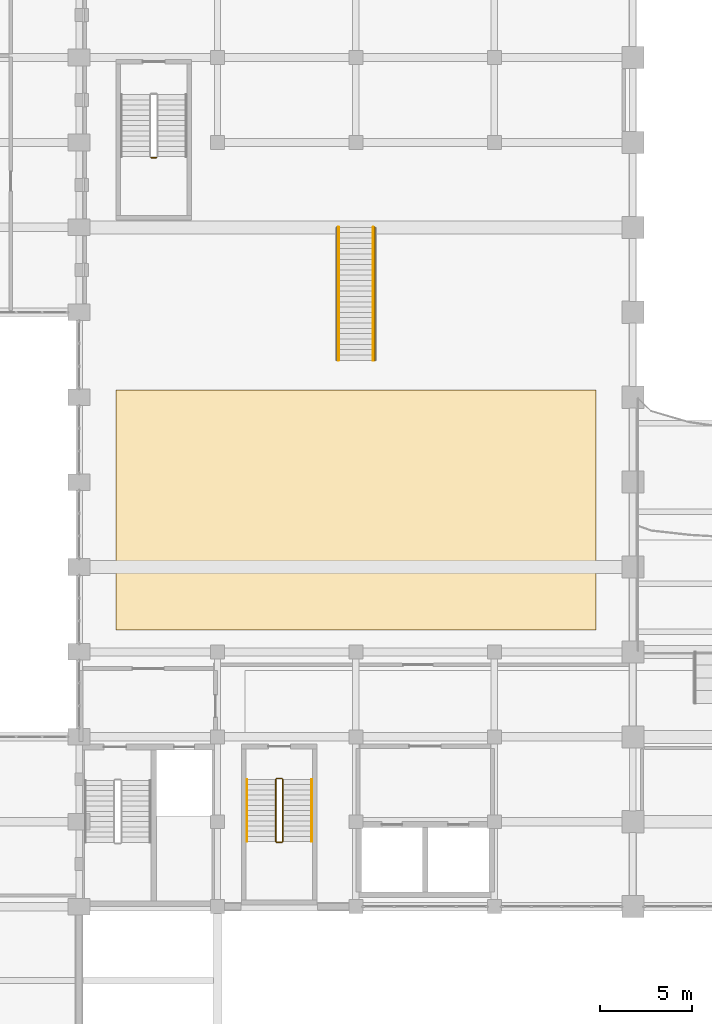
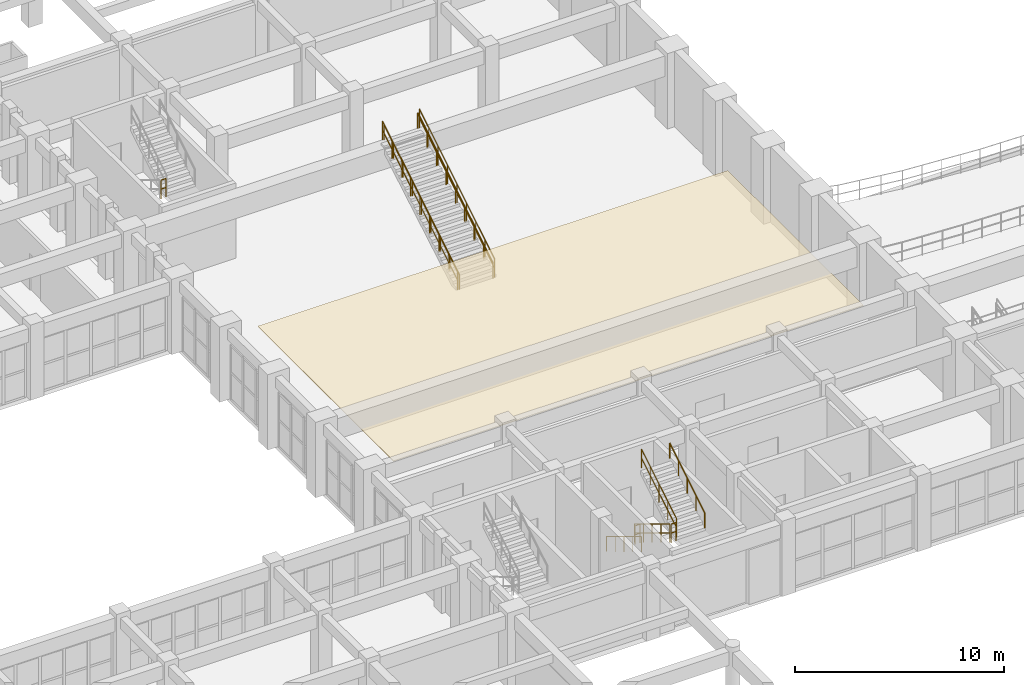
# One storey, part 107 of 116: 11 railings, 1 covering.
"""IFC4 building model written with IfcOpenShell, lengths in metres."""

from ifc_helpers import new_model, si_unit, direction, frame, origin, origin_2d, place, context, subcontext, project, spatial, polyline, circle, outline, extrude, material, layer, layer_set, type_object, element, save


model = new_model("IFC4")

# Units and contexts
model_context = context("Model", 3, precision=1e-05, world=origin(), true_north=direction((0.0, 1.0)))
body_context = subcontext(model_context, "Body", "Model", "MODEL_VIEW")
ifc_project = project(units=[si_unit("LENGTHUNIT", "METRE"), si_unit("AREAUNIT", "SQUARE_METRE"), si_unit("VOLUMEUNIT", "CUBIC_METRE"), si_unit("PLANEANGLEUNIT", "RADIAN"), si_unit("MASSUNIT", "GRAM", prefix="KILO")], contexts=[model_context])

# Site, building, storey
site_placement = place(None, origin())
site = spatial("IfcSite", under=ifc_project, at=site_placement, CompositionType="ELEMENT")
building_placement = place(site_placement, origin())
building = spatial("IfcBuilding", under=site, at=building_placement, Name="Muzn Square Opera House", CompositionType="ELEMENT")
storey_placement = place(building_placement, frame((0.0, 0.0, 5.39990234375)))
storey = spatial("IfcBuildingStorey", under=building, at=storey_placement, Name="L01", CompositionType="ELEMENT", Elevation=5.39990234375)

# Covering
ifc_material_1 = material(Name="Acoustic walnut timber panelling", Category="wood")
ifc_layer = layer(ifc_material_1, 0.0400390625, Name="Acoustic walnut timber panelling", Category="wood")
ifc_layer_set = layer_set([ifc_layer], Name="Acoustic walnut timber panelling")
covering_type = type_object("IfcCoveringType", Name="Carved Walnut Acoustic Ceiling Cloud", PredefinedType="CEILING", material=ifc_layer_set)
covering_placement = place(storey_placement, frame((0.0, 0.0, 3.0)))
element("IfcCovering", 1, at=covering_placement, inside=storey, type_object=covering_type, Name="West Promenade Acoustic Ceiling Cloud", PredefinedType="CEILING", context=body_context, shape_type="SweptSolid", body=[
    extrude(outline(polyline([(45.0, 37.0), (71.0, 37.0), (71.0, 50.0), (45.0, 50.0), (45.0, 37.0)])), origin(), (0.0, 0.0, 1.0), 0.0400390625),
])

# Railings
ifc_material_2 = material(Name="Brushed stainless steel", Category="metal")
railing_type_1 = type_object("IfcRailingType", Name="Stair Guard Railing 1120mm", PredefinedType="GUARDRAIL", material=ifc_material_2)
railing_1_placement = place(storey_placement, frame((46.909912109375, 62.580078125, 2.2001953125)))
element("IfcRailing", 2, at=railing_1_placement, inside=storey, type_object=railing_type_1, Name="L01 ST-9 stair guard 2", PredefinedType="GUARDRAIL", context=body_context, shape_type="SweptSolid", body=[
    extrude(circle(Radius=0.02392578125, at=origin_2d()), frame((0.0, 0.0, 1.076171875), z_axis=(1.0, 0.0, 0.0), x_axis=(0.0, 1.0, 0.0)), (0.0, 0.0, 1.0), 0.280029296875),
    extrude(circle(Radius=0.02392578125, at=origin_2d()), frame((0.0, 0.0, 0.550048828125), z_axis=(1.0, 0.0, 0.0), x_axis=(0.0, 1.0, 0.0)), (0.0, 0.0, 1.0), 0.280029296875),
    extrude(circle(Radius=0.02099609375, at=origin_2d()), origin(), (0.0, 0.0, 1.0), 1.052001953125),
    extrude(circle(Radius=0.02099609375, at=origin_2d()), frame((0.280029296875, 0.0, 0.0)), (0.0, 0.0, 1.0), 1.052001953125),
])
railing_2_placement = place(storey_placement, frame((53.659912109375, 28.889892578125, 0.16943359375)))
element("IfcRailing", 3, at=railing_2_placement, inside=storey, type_object=railing_type_1, Name="L01 ST-11 stair guard 1", PredefinedType="GUARDRAIL", context=body_context, shape_type="SweptSolid", body=[
    extrude(circle(Radius=0.02392578125, at=origin_2d()), frame((0.0, 0.0, 1.076171875), z_axis=(0.0, -0.855820338506, 0.51727318527), x_axis=(1.0, 0.0, 0.0)), (0.0, 0.0, 1.0), 3.92578125),
    extrude(circle(Radius=0.02392578125, at=origin_2d()), frame((0.0, 0.0, 0.550048828125), z_axis=(0.0, -0.855820338506, 0.51727318527), x_axis=(1.0, 0.0, 0.0)), (0.0, 0.0, 1.0), 3.92578125),
    extrude(circle(Radius=0.02099609375, at=origin_2d()), origin(), (0.0, 0.0, 1.0), 1.052001953125),
    extrude(circle(Radius=0.02099609375, at=origin_2d()), frame((0.0, -0.83984375, 0.5078125)), (0.0, 0.0, 1.0), 1.052001953125),
    extrude(circle(Radius=0.02099609375, at=origin_2d()), frame((0.0, -1.679931640625, 1.015380859375)), (0.0, 0.0, 1.0), 1.052001953125),
    extrude(circle(Radius=0.02099609375, at=origin_2d()), frame((0.0, -2.52001953125, 1.52294921875)), (0.0, 0.0, 1.0), 1.052001953125),
    extrude(circle(Radius=0.02099609375, at=origin_2d()), frame((0.0, -3.35986328125, 2.03076171875)), (0.0, 0.0, 1.0), 1.052001953125),
])
railing_3_placement = place(storey_placement, frame((53.7099609375, 25.47998046875, 2.2001953125)))
element("IfcRailing", 4, at=railing_3_placement, inside=storey, type_object=railing_type_1, Name="L01 ST-11 stair guard 2", PredefinedType="GUARDRAIL", context=body_context, shape_type="SweptSolid", body=[
    extrude(circle(Radius=0.02392578125, at=origin_2d()), frame((0.0, 0.0, 1.076171875), z_axis=(1.0, 0.0, 0.0), x_axis=(0.0, 1.0, 0.0)), (0.0, 0.0, 1.0), 0.280029296875),
    extrude(circle(Radius=0.02392578125, at=origin_2d()), frame((0.0, 0.0, 0.550048828125), z_axis=(1.0, 0.0, 0.0), x_axis=(0.0, 1.0, 0.0)), (0.0, 0.0, 1.0), 0.280029296875),
    extrude(circle(Radius=0.02099609375, at=origin_2d()), origin(), (0.0, 0.0, 1.0), 1.052001953125),
    extrude(circle(Radius=0.02099609375, at=origin_2d()), frame((0.280029296875, 0.0, 0.0)), (0.0, 0.0, 1.0), 1.052001953125),
])
railing_4_placement = place(storey_placement, frame((54.0400390625, 25.530029296875, 2.369384765625)))
element("IfcRailing", 5, at=railing_4_placement, inside=storey, type_object=railing_type_1, Name="L01 ST-11 stair guard 3", PredefinedType="GUARDRAIL", context=body_context, shape_type="SweptSolid", body=[
    extrude(circle(Radius=0.02392578125, at=origin_2d()), frame((0.0, 0.0, 1.076171875), z_axis=(0.0, 0.855820338506, 0.51727318527), x_axis=(-1.0, 0.0, 0.0)), (0.0, 0.0, 1.0), 3.92578125),
    extrude(circle(Radius=0.02392578125, at=origin_2d()), frame((0.0, 0.0, 0.550048828125), z_axis=(0.0, 0.855820338506, 0.51727318527), x_axis=(-1.0, 0.0, 0.0)), (0.0, 0.0, 1.0), 3.92578125),
    extrude(circle(Radius=0.02099609375, at=origin_2d()), origin(), (0.0, 0.0, 1.0), 1.052001953125),
    extrude(circle(Radius=0.02099609375, at=origin_2d()), frame((0.0, 0.83984375, 0.5078125)), (0.0, 0.0, 1.0), 1.052001953125),
    extrude(circle(Radius=0.02099609375, at=origin_2d()), frame((0.0, 1.679931640625, 1.015380859375)), (0.0, 0.0, 1.0), 1.052001953125),
    extrude(circle(Radius=0.02099609375, at=origin_2d()), frame((0.0, 2.52001953125, 1.52294921875)), (0.0, 0.0, 1.0), 1.052001953125),
    extrude(circle(Radius=0.02099609375, at=origin_2d()), frame((0.0, 3.35986328125, 2.03076171875)), (0.0, 0.0, 1.0), 1.052001953125),
])
railing_5_placement = place(storey_placement, frame((53.7099609375, 28.93994140625, 0.0)))
element("IfcRailing", 6, at=railing_5_placement, inside=storey, type_object=railing_type_1, Name="L01 ST-11 stair guard 4", PredefinedType="GUARDRAIL", context=body_context, shape_type="SweptSolid", body=[
    extrude(circle(Radius=0.02392578125, at=origin_2d()), frame((0.0, 0.0, 1.076171875), z_axis=(1.0, 0.0, 0.0), x_axis=(0.0, 1.0, 0.0)), (0.0, 0.0, 1.0), 0.280029296875),
    extrude(circle(Radius=0.02392578125, at=origin_2d()), frame((0.0, 0.0, 0.550048828125), z_axis=(1.0, 0.0, 0.0), x_axis=(0.0, 1.0, 0.0)), (0.0, 0.0, 1.0), 0.280029296875),
    extrude(circle(Radius=0.02099609375, at=origin_2d()), origin(), (0.0, 0.0, 1.0), 1.052001953125),
    extrude(circle(Radius=0.02099609375, at=origin_2d()), frame((0.280029296875, 0.0, 0.0)), (0.0, 0.0, 1.0), 1.052001953125),
])
for number, where, name in (
    (7, (56.97998046875, 51.60009765625, 0.0), "Grand Foyer Stair Guard FS-01-L"),
    (8, (59.02001953125, 51.60009765625, 0.0), "Grand Foyer Stair Guard FS-01-R"),
):
    element("IfcRailing", number, at=place(storey_placement, frame(where)), inside=storey, type_object=railing_type_1, Name=name, PredefinedType="GUARDRAIL", context=body_context, shape_type="SweptSolid", body=[
        extrude(circle(Radius=0.02392578125, at=origin_2d()), frame((0.0, 0.0, 1.09619140625), z_axis=(0.0, 0.853272535843, 0.521465223746), x_axis=(-1.0, 0.0, 0.0)), (0.0, 0.0, 1.0), 8.43798828125),
        extrude(circle(Radius=0.02392578125, at=origin_2d()), frame((0.0, 0.0, 0.56005859375), z_axis=(0.0, 0.853272535843, 0.521465223746), x_axis=(-1.0, 0.0, 0.0)), (0.0, 0.0, 1.0), 8.43798828125),
        extrude(circle(Radius=0.02099609375, at=origin_2d()), origin(), (0.0, 0.0, 1.0), 1.072021484375),
        extrude(circle(Radius=0.02099609375, at=origin_2d()), frame((0.0, 0.89990234375, 0.550048828125)), (0.0, 0.0, 1.0), 1.072021484375),
        extrude(circle(Radius=0.02099609375, at=origin_2d()), frame((0.0, 1.800048828125, 1.10009765625)), (0.0, 0.0, 1.0), 1.072021484375),
        extrude(circle(Radius=0.02099609375, at=origin_2d()), frame((0.0, 2.699951171875, 1.650146484375)), (0.0, 0.0, 1.0), 1.072021484375),
        extrude(circle(Radius=0.02099609375, at=origin_2d()), frame((0.0, 3.60009765625, 2.2001953125)), (0.0, 0.0, 1.0), 1.072021484375),
        extrude(circle(Radius=0.02099609375, at=origin_2d()), frame((0.0, 4.5, 2.75)), (0.0, 0.0, 1.0), 1.072021484375),
        extrude(circle(Radius=0.02099609375, at=origin_2d()), frame((0.0, 5.39990234375, 3.300048828125)), (0.0, 0.0, 1.0), 1.072021484375),
        extrude(circle(Radius=0.02099609375, at=origin_2d()), frame((0.0, 6.300048828125, 3.85009765625)), (0.0, 0.0, 1.0), 1.072021484375),
        extrude(circle(Radius=0.02099609375, at=origin_2d()), frame((0.0, 7.199951171875, 4.400146484375)), (0.0, 0.0, 1.0), 1.072021484375),
    ])
railing_type_2 = type_object("IfcRailingType", Name="Stair Pitch Handrail 900mm", PredefinedType="HANDRAIL", material=ifc_material_2)
railing_6_placement = place(storey_placement, frame((52.10009765625, 28.889892578125, 0.16943359375)))
element("IfcRailing", 9, at=railing_6_placement, inside=storey, type_object=railing_type_2, Name="L01 ST-11 stair handrail 1", PredefinedType="HANDRAIL", context=body_context, shape_type="SweptSolid", body=[
    extrude(circle(Radius=0.02392578125, at=origin_2d()), frame((0.0, 0.0, 0.8759765625), z_axis=(0.0, -0.855820338506, 0.51727318527), x_axis=(1.0, 0.0, 0.0)), (0.0, 0.0, 1.0), 3.92578125),
    extrude(circle(Radius=0.02099609375, at=origin_2d()), origin(), (0.0, 0.0, 1.0), 0.851806640625),
    extrude(circle(Radius=0.02099609375, at=origin_2d()), frame((0.0, -0.83984375, 0.5078125)), (0.0, 0.0, 1.0), 0.851806640625),
    extrude(circle(Radius=0.02099609375, at=origin_2d()), frame((0.0, -1.679931640625, 1.015380859375)), (0.0, 0.0, 1.0), 0.851806640625),
    extrude(circle(Radius=0.02099609375, at=origin_2d()), frame((0.0, -2.52001953125, 1.52294921875)), (0.0, 0.0, 1.0), 0.851806640625),
    extrude(circle(Radius=0.02099609375, at=origin_2d()), frame((0.0, -3.35986328125, 2.03076171875)), (0.0, 0.0, 1.0), 0.851806640625),
])
railing_7_placement = place(storey_placement, frame((55.60009765625, 25.530029296875, 2.369384765625)))
element("IfcRailing", 10, at=railing_7_placement, inside=storey, type_object=railing_type_2, Name="L01 ST-11 stair handrail 2", PredefinedType="HANDRAIL", context=body_context, shape_type="SweptSolid", body=[
    extrude(circle(Radius=0.02392578125, at=origin_2d()), frame((0.0, 0.0, 0.8759765625), z_axis=(0.0, 0.855820338506, 0.51727318527), x_axis=(-1.0, 0.0, 0.0)), (0.0, 0.0, 1.0), 3.92578125),
    extrude(circle(Radius=0.02099609375, at=origin_2d()), origin(), (0.0, 0.0, 1.0), 0.851806640625),
    extrude(circle(Radius=0.02099609375, at=origin_2d()), frame((0.0, 0.83984375, 0.5078125)), (0.0, 0.0, 1.0), 0.851806640625),
    extrude(circle(Radius=0.02099609375, at=origin_2d()), frame((0.0, 1.679931640625, 1.015380859375)), (0.0, 0.0, 1.0), 0.851806640625),
    extrude(circle(Radius=0.02099609375, at=origin_2d()), frame((0.0, 2.52001953125, 1.52294921875)), (0.0, 0.0, 1.0), 0.851806640625),
    extrude(circle(Radius=0.02099609375, at=origin_2d()), frame((0.0, 3.35986328125, 2.03076171875)), (0.0, 0.0, 1.0), 0.851806640625),
])
for number, where, name in (
    (11, (57.0615234375, 51.60009765625, 0.0), "Grand Foyer Stair Handrail FS-01-L"),
    (12, (58.9384765625, 51.60009765625, 0.0), "Grand Foyer Stair Handrail FS-01-R"),
):
    element("IfcRailing", number, at=place(storey_placement, frame(where)), inside=storey, type_object=railing_type_2, Name=name, PredefinedType="HANDRAIL", context=body_context, shape_type="SweptSolid", body=[
        extrude(circle(Radius=0.02392578125, at=origin_2d()), frame((0.0, 0.0, 0.8759765625), z_axis=(0.0, 0.853272535843, 0.521465223746), x_axis=(-1.0, 0.0, 0.0)), (0.0, 0.0, 1.0), 8.43798828125),
        extrude(circle(Radius=0.02099609375, at=origin_2d()), origin(), (0.0, 0.0, 1.0), 0.851806640625),
        extrude(circle(Radius=0.02099609375, at=origin_2d()), frame((0.0, 0.89990234375, 0.550048828125)), (0.0, 0.0, 1.0), 0.851806640625),
        extrude(circle(Radius=0.02099609375, at=origin_2d()), frame((0.0, 1.800048828125, 1.10009765625)), (0.0, 0.0, 1.0), 0.851806640625),
        extrude(circle(Radius=0.02099609375, at=origin_2d()), frame((0.0, 2.699951171875, 1.650146484375)), (0.0, 0.0, 1.0), 0.851806640625),
        extrude(circle(Radius=0.02099609375, at=origin_2d()), frame((0.0, 3.60009765625, 2.2001953125)), (0.0, 0.0, 1.0), 0.851806640625),
        extrude(circle(Radius=0.02099609375, at=origin_2d()), frame((0.0, 4.5, 2.75)), (0.0, 0.0, 1.0), 0.851806640625),
        extrude(circle(Radius=0.02099609375, at=origin_2d()), frame((0.0, 5.39990234375, 3.300048828125)), (0.0, 0.0, 1.0), 0.851806640625),
        extrude(circle(Radius=0.02099609375, at=origin_2d()), frame((0.0, 6.300048828125, 3.85009765625)), (0.0, 0.0, 1.0), 0.851806640625),
        extrude(circle(Radius=0.02099609375, at=origin_2d()), frame((0.0, 7.199951171875, 4.400146484375)), (0.0, 0.0, 1.0), 0.851806640625),
    ])

save(model, "model.ifc")
